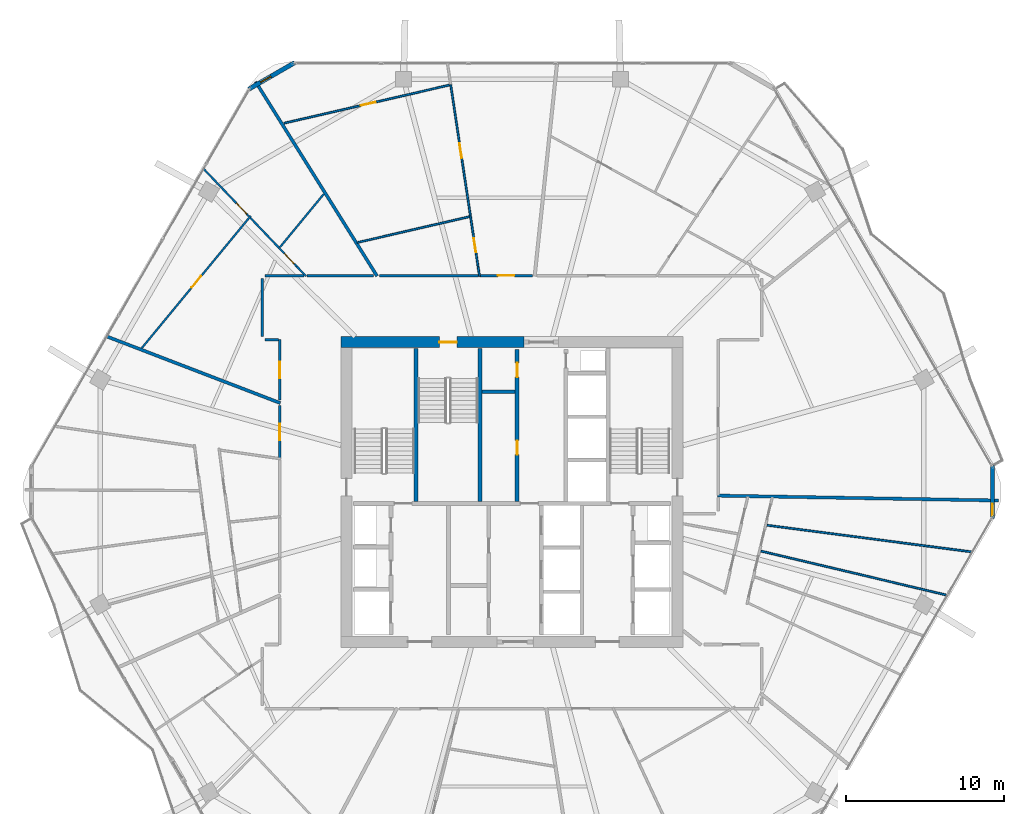
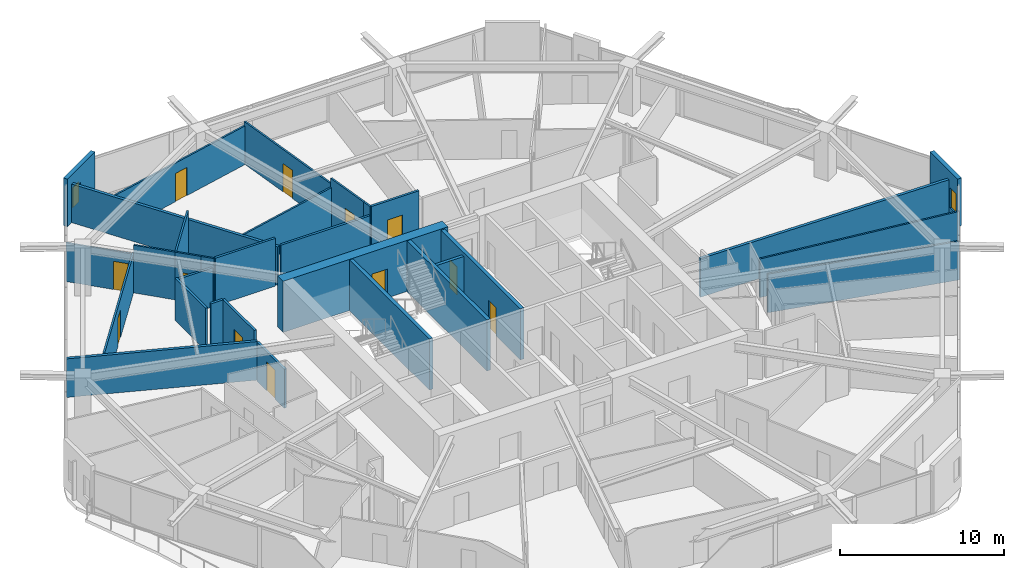
# One storey, part 20 of 25: 31 walls, 12 doors, 2 windows, 14 openings.
"""IFC4 building model written with IfcOpenShell, lengths in metres."""

from ifc_helpers import new_model, si_unit, direction, frame, frame_2d, origin, place, context, subcontext, project, spatial, rectangle, extrude, material, layer, layer_set, type_object, element, fill, save


model = new_model("IFC4")

# Units and contexts
model_context = context("Model", 3, precision=1e-05, world=origin(), true_north=direction((0.0, 1.0)))
body_context = subcontext(model_context, "Body", "Model", "MODEL_VIEW")
ifc_project = project(units=[si_unit("LENGTHUNIT", "METRE"), si_unit("AREAUNIT", "SQUARE_METRE"), si_unit("VOLUMEUNIT", "CUBIC_METRE"), si_unit("PLANEANGLEUNIT", "RADIAN"), si_unit("MASSUNIT", "GRAM", prefix="KILO")], contexts=[model_context])

# Site, building, storey
site_placement = place(None, origin())
site = spatial("IfcSite", under=ifc_project, at=site_placement, CompositionType="ELEMENT")
building_placement = place(site_placement, origin())
building = spatial("IfcBuilding", under=site, at=building_placement, Name="Zuhravey Tower", CompositionType="ELEMENT")
storey_placement = place(building_placement, frame((0.0, 0.0, 180.800048828125)))
storey = spatial("IfcBuildingStorey", under=building, at=storey_placement, Name="L45", CompositionType="ELEMENT", Elevation=180.800048828125)

# Wall, opening, door
ifc_material_1 = material(Name="Concrete C60/75", Category="concrete")
ifc_layer_1 = layer(ifc_material_1, 0.699951171875)
ifc_layer_set_1 = layer_set([ifc_layer_1], Name="Concrete C60/75")
wall_type_1 = type_object("IfcWallType", Name="Core Shear Wall 700", PredefinedType="SHEAR", material=ifc_layer_set_1)
wall_1_placement = place(storey_placement, frame((36.75, 41.5, 0.0), z_axis=(0.0, 0.0, 1.0), x_axis=(-1.0, 0.0, 0.0)))
wall_1 = element("IfcWall", 1, at=wall_1_placement, inside=storey, type_object=wall_type_1, Name="L45 North-West Core Shear Wall CW70", PredefinedType="SHEAR", context=body_context, shape_type="SweptSolid", body=[
    extrude(rectangle(XDim=11.60009765625, YDim=0.699951171875, at=frame_2d((5.800048828125, 0.0))), origin(), (0.0, 0.0, 1.0), 3.800048828125),
])
opening_1_placement = place(wall_1_placement, frame((4.25, 0.0, 0.0)))
opening_1 = element("IfcOpeningElement", 2, at=opening_1_placement, cuts=wall_1, Name="Opening STD1", PredefinedType="OPENING", context=body_context, shape_type="SweptSolid", body=[
    extrude(rectangle(XDim=1.10009765625, YDim=2.14990234375, at=frame_2d((0.550048828125, 1.074951171875))), frame((0.0, 0.362060546875, 0.0), z_axis=(0.0, -1.0, 0.0), x_axis=(1.0, 0.0, 0.0)), (0.0, 0.0, 1.0), 0.723876953125),
])
ifc_material_2 = material(Name="Galvanised fire-rated steel leaf", Category="steel")
door_type_1 = type_object("IfcDoorType", Name="Protected Stair Fire Door 1100x2150", OperationType="NOTDEFINED", PredefinedType="USERDEFINED", material=ifc_material_2)
door_1_placement = place(opening_1_placement, origin())
door_1 = element("IfcDoor", 3, at=door_1_placement, inside=storey, type_object=door_type_1, Name="L45 Stair ST3 Door", ObjectType="EXITDOOR", OperationType="SINGLE_SWING_RIGHT", OverallHeight=2.14990234375, OverallWidth=1.10009765625, PredefinedType="USERDEFINED", context=body_context, shape_type="SweptSolid", body=[
    extrude(rectangle(XDim=1.10009765625, YDim=2.14990234375, at=frame_2d((0.550048828125, 1.074951171875))), frame((0.0, 0.02490234375, 0.0), z_axis=(0.0, -1.0, 0.0), x_axis=(1.0, 0.0, 0.0)), (0.0, 0.0, 1.0), 0.050048828125),
])
fill(opening_1, door_1)

ifc_material_3 = material(Name="Gypsum fire-rated stud partition")
ifc_layer_2 = layer(ifc_material_3, 0.159912109375)
ifc_layer_set_2 = layer_set([ifc_layer_2], Name="Gypsum fire-rated stud partition")
wall_type_2 = type_object("IfcWallType", Name="Corridor Fire Partition 160", PredefinedType="PARTITIONING", material=ifc_layer_set_2)
wall_2_placement = place(storey_placement, frame((37.302001953125, 45.72998046875, 0.0), z_axis=(0.0, 0.0, 1.0), x_axis=(-1.0, 0.0, 0.0)))
wall_2 = element("IfcWall", 4, at=wall_2_placement, inside=storey, type_object=wall_type_2, Name="L45 IW16 Partition 029", PredefinedType="PARTITIONING", context=body_context, shape_type="SweptSolid", body=[
    extrude(rectangle(XDim=3.348388671875, YDim=0.159912109375, at=frame_2d((1.67431640625, 0.0))), origin(), (0.0, 0.0, 1.0), 3.550048828125),
])
opening_2_placement = place(wall_2_placement, frame((1.149169921875, 0.0, 0.0)))
opening_2 = element("IfcOpeningElement", 5, at=opening_2_placement, cuts=wall_2, Name="Opening APD1", PredefinedType="OPENING", context=body_context, shape_type="SweptSolid", body=[
    extrude(rectangle(XDim=1.050048828125, YDim=2.14990234375, at=frame_2d((0.52490234375, 1.074951171875))), frame((0.0, 0.092041015625, 0.0), z_axis=(0.0, -1.0, 0.0), x_axis=(1.0, 0.0, 0.0)), (0.0, 0.0, 1.0), 0.183837890625),
])
ifc_material_4 = material(Name="Solid-core oak fire-rated leaf")
door_type_2 = type_object("IfcDoorType", Name="Apartment Entrance Fire Door 1050x2150", OperationType="NOTDEFINED", PredefinedType="DOOR", material=ifc_material_4)
door_2_placement = place(opening_2_placement, frame((1.050048828125, 0.0, 0.0), z_axis=(0.0, 0.0, 1.0), x_axis=(-1.0, 0.0, 0.0)))
door_2 = element("IfcDoor", 6, at=door_2_placement, inside=storey, type_object=door_type_2, Name="L45 Door 029.1", OperationType="SINGLE_SWING_LEFT", OverallHeight=2.14990234375, OverallWidth=1.050048828125, PredefinedType="DOOR", context=body_context, shape_type="SweptSolid", body=[
    extrude(rectangle(XDim=1.050048828125, YDim=2.14990234375, at=frame_2d((0.52490234375, 1.074951171875))), frame((0.0, 0.02490234375, 0.0), z_axis=(0.0, -1.0, 0.0), x_axis=(1.0, 0.0, 0.0)), (0.0, 0.0, 1.0), 0.050048828125),
])
fill(opening_2, door_2)

wall_3_placement = place(storey_placement, frame((21.27001953125, 41.669921875, 0.0), z_axis=(0.0, 0.0, 1.0), x_axis=(0.0, -1.0, 0.0)))
wall_3 = element("IfcWall", 7, at=wall_3_placement, inside=storey, type_object=wall_type_2, Name="L45 IW16 Partition 034", PredefinedType="PARTITIONING", context=body_context, shape_type="SweptSolid", body=[
    extrude(rectangle(XDim=3.84619140625, YDim=0.159912109375, at=frame_2d((1.923095703125, 0.0))), origin(), (0.0, 0.0, 1.0), 3.550048828125),
])
opening_3_placement = place(wall_3_placement, frame((1.398193359375, 0.0, 0.0)))
opening_3 = element("IfcOpeningElement", 8, at=opening_3_placement, cuts=wall_3, Name="Opening APD1", PredefinedType="OPENING", context=body_context, shape_type="SweptSolid", body=[
    extrude(rectangle(XDim=1.050048828125, YDim=2.14990234375, at=frame_2d((0.52490234375, 1.074951171875))), frame((0.0, 0.092041015625, 0.0), z_axis=(0.0, -1.0, 0.0), x_axis=(1.0, 0.0, 0.0)), (0.0, 0.0, 1.0), 0.183837890625),
])
door_3_placement = place(opening_3_placement, frame((1.050048828125, 0.0, 0.0), z_axis=(0.0, 0.0, 1.0), x_axis=(-1.0, 0.0, 0.0)))
door_3 = element("IfcDoor", 9, at=door_3_placement, inside=storey, type_object=door_type_2, Name="L45 Door 034.1", OperationType="SINGLE_SWING_LEFT", OverallHeight=2.14990234375, OverallWidth=1.050048828125, PredefinedType="DOOR", context=body_context, shape_type="SweptSolid", body=[
    extrude(rectangle(XDim=1.050048828125, YDim=2.14990234375, at=frame_2d((0.52490234375, 1.074951171875))), frame((0.0, 0.02490234375, 0.0), z_axis=(0.0, -1.0, 0.0), x_axis=(1.0, 0.0, 0.0)), (0.0, 0.0, 1.0), 0.050048828125),
])
fill(opening_3, door_3)

wall_4_placement = place(storey_placement, frame((21.27001953125, 37.486083984375, 0.0), z_axis=(0.0, 0.0, 1.0), x_axis=(0.0, -1.0, 0.0)))
wall_4 = element("IfcWall", 10, at=wall_4_placement, inside=storey, type_object=wall_type_2, Name="L45 IW16 Partition 037", PredefinedType="PARTITIONING", context=body_context, shape_type="SweptSolid", body=[
    extrude(rectangle(XDim=3.348388671875, YDim=0.159912109375, at=frame_2d((1.67431640625, 0.0))), origin(), (0.0, 0.0, 1.0), 2.89990234375),
])
opening_4_placement = place(wall_4_placement, frame((1.149169921875, 0.0, 0.0)))
opening_4 = element("IfcOpeningElement", 11, at=opening_4_placement, cuts=wall_4, Name="Opening APD1", PredefinedType="OPENING", context=body_context, shape_type="SweptSolid", body=[
    extrude(rectangle(XDim=1.050048828125, YDim=2.14990234375, at=frame_2d((0.52490234375, 1.074951171875))), frame((0.0, 0.092041015625, 0.0), z_axis=(0.0, -1.0, 0.0), x_axis=(1.0, 0.0, 0.0)), (0.0, 0.0, 1.0), 0.183837890625),
])
door_4_placement = place(opening_4_placement, frame((1.050048828125, 0.0, 0.0), z_axis=(0.0, 0.0, 1.0), x_axis=(-1.0, 0.0, 0.0)))
door_4 = element("IfcDoor", 12, at=door_4_placement, inside=storey, type_object=door_type_2, Name="L45 Door 037.1", OperationType="SINGLE_SWING_LEFT", OverallHeight=2.14990234375, OverallWidth=1.050048828125, PredefinedType="DOOR", context=body_context, shape_type="SweptSolid", body=[
    extrude(rectangle(XDim=1.050048828125, YDim=2.14990234375, at=frame_2d((0.52490234375, 1.074951171875))), frame((0.0, 0.02490234375, 0.0), z_axis=(0.0, -1.0, 0.0), x_axis=(1.0, 0.0, 0.0)), (0.0, 0.0, 1.0), 0.050048828125),
])
fill(opening_4, door_4)

# Walls
wall_5_placement = place(storey_placement, frame((33.864501953125, 45.72998046875, 0.0), z_axis=(0.0, 0.0, 1.0), x_axis=(-1.0, 0.0, 0.0)))
element("IfcWall", 13, at=wall_5_placement, inside=storey, type_object=wall_type_2, Name="L45 IW16 Partition 106", PredefinedType="PARTITIONING", context=body_context, shape_type="SweptSolid", body=[
    extrude(rectangle(XDim=6.2548828125, YDim=0.159912109375, at=frame_2d((3.12744140625, 0.0))), origin(), (0.0, 0.0, 1.0), 2.89990234375),
])
wall_6_placement = place(storey_placement, frame((20.169921875, 45.550048828125, 0.0), z_axis=(0.0, 0.0, 1.0), x_axis=(0.0, -1.0, 0.0)))
element("IfcWall", 14, at=wall_6_placement, inside=storey, type_object=wall_type_2, Name="L45 IW16 Partition 107", PredefinedType="PARTITIONING", context=body_context, shape_type="SweptSolid", body=[
    extrude(rectangle(XDim=3.699951171875, YDim=0.159912109375, at=frame_2d((1.85009765625, 0.0))), origin(), (0.0, 0.0, 1.0), 3.14990234375),
])
wall_7_placement = place(storey_placement, frame((22.8037109375, 45.72998046875, 0.0), z_axis=(0.0, 0.0, 1.0), x_axis=(-1.0, 0.0, 0.0)))
element("IfcWall", 15, at=wall_7_placement, inside=storey, type_object=wall_type_2, Name="L45 IW16 Partition 108", PredefinedType="PARTITIONING", context=body_context, shape_type="SweptSolid", body=[
    extrude(rectangle(XDim=2.45361328125, YDim=0.159912109375, at=frame_2d((1.226806640625, 0.0))), origin(), (0.0, 0.0, 1.0), 2.89990234375),
])
wall_8_placement = place(storey_placement, frame((20.35009765625, 41.669921875, 0.0), z_axis=(0.0, 0.0, 1.0), x_axis=(1.0, 0.0, 0.0)))
element("IfcWall", 16, at=wall_8_placement, inside=storey, type_object=wall_type_2, Name="L45 IW16 Partition 109", PredefinedType="PARTITIONING", context=body_context, shape_type="SweptSolid", body=[
    extrude(rectangle(XDim=0.831787109375, YDim=0.159912109375, at=frame_2d((0.416015625, 0.0))), origin(), (0.0, 0.0, 1.0), 3.550048828125),
])
wall_9_placement = place(storey_placement, frame((27.229248046875, 45.72998046875, 0.0), z_axis=(0.0, 0.0, 1.0), x_axis=(-1.0, 0.0, 0.0)))
element("IfcWall", 17, at=wall_9_placement, inside=storey, type_object=wall_type_2, Name="L45 IW16 Partition 110", PredefinedType="PARTITIONING", context=body_context, shape_type="SweptSolid", body=[
    extrude(rectangle(XDim=4.241455078125, YDim=0.159912109375, at=frame_2d((2.12060546875, 0.0))), origin(), (0.0, 0.0, 1.0), 3.550048828125),
])

# Wall, opening, window
ifc_material_5 = material(Name="Precast concrete C40/50", Category="concrete")
ifc_layer_3 = layer(ifc_material_5, 0.280029296875)
ifc_layer_set_3 = layer_set([ifc_layer_3], Name="Precast concrete C40/50")
wall_type_3 = type_object("IfcWallType", Name="Crown Architectural Wall 280", PredefinedType="SOLIDWALL", material=ifc_layer_set_3)
wall_10_placement = place(storey_placement, frame((19.306884765625, 57.548095703125, 0.0), z_axis=(0.0, 0.0, 1.0), x_axis=(0.866020068361, 0.500009241111, 0.0)))
wall_10 = element("IfcWall", 18, at=wall_10_placement, inside=storey, type_object=wall_type_3, Name="L45 Rounded Corner Closure Wall EW28-08", PredefinedType="SOLIDWALL", context=body_context, shape_type="SweptSolid", body=[
    extrude(rectangle(XDim=3.365234375, YDim=0.280029296875, at=frame_2d((1.6826171875, 0.0))), origin(), (0.0, 0.0, 1.0), 3.550048828125),
])
opening_5_placement = place(wall_10_placement, frame((0.865966796875, 0.0, 0.85009765625)))
opening_5 = element("IfcOpeningElement", 19, at=opening_5_placement, cuts=wall_10, Name="Opening WN5", PredefinedType="OPENING", context=body_context, shape_type="SweptSolid", body=[
    extrude(rectangle(XDim=0.75, YDim=1.5, at=frame_2d((0.375, 0.75))), frame((0.0, 0.152099609375, 0.0), z_axis=(0.0, -1.0, 0.0), x_axis=(1.0, 0.0, 0.0)), (0.0, 0.0, 1.0), 0.303955078125),
])
ifc_material_6 = material(Name="Thermally broken aluminium and triple low-E glass", Category="aluminium")
window_type = type_object("IfcWindowType", Name="Residential Corner Casement Window 750x1500", PartitioningType="SINGLE_PANEL", PredefinedType="WINDOW", material=ifc_material_6)
window_1_placement = place(opening_5_placement, origin())
window_1 = element("IfcWindow", 20, at=window_1_placement, inside=storey, type_object=window_type, Name="L45 Corner Casement Window WN5-08.1", OverallHeight=1.5, OverallWidth=0.75, PartitioningType="SINGLE_PANEL", PredefinedType="WINDOW", context=body_context, shape_type="SweptSolid", body=[
    extrude(rectangle(XDim=0.75, YDim=1.5, at=frame_2d((0.375, 0.75))), frame((0.0, 0.030029296875, 0.0), z_axis=(0.0, -1.0, 0.0), x_axis=(1.0, 0.0, 0.0)), (0.0, 0.0, 1.0), 0.06005859375),
])
fill(opening_5, window_1)

wall_11_placement = place(storey_placement, frame((66.4716796875, 33.6826171875, 0.0), z_axis=(0.0, 0.0, 1.0), x_axis=(0.0, -1.0, 0.0)))
wall_11 = element("IfcWall", 21, at=wall_11_placement, inside=storey, type_object=wall_type_3, Name="L45 Rounded Corner Closure Wall EW28-12", PredefinedType="SOLIDWALL", context=body_context, shape_type="SweptSolid", body=[
    extrude(rectangle(XDim=3.365234375, YDim=0.280029296875, at=frame_2d((1.6826171875, 0.0))), origin(), (0.0, 0.0, 1.0), 3.550048828125),
])
opening_6_placement = place(wall_11_placement, frame((2.435791015625, 0.0, 0.85009765625)))
opening_6 = element("IfcOpeningElement", 22, at=opening_6_placement, cuts=wall_11, Name="Opening WN5", PredefinedType="OPENING", context=body_context, shape_type="SweptSolid", body=[
    extrude(rectangle(XDim=0.75, YDim=1.5, at=frame_2d((0.375, 0.75))), frame((0.0, 0.152099609375, 0.0), z_axis=(0.0, -1.0, 0.0), x_axis=(1.0, 0.0, 0.0)), (0.0, 0.0, 1.0), 0.303955078125),
])
window_2_placement = place(opening_6_placement, origin())
window_2 = element("IfcWindow", 23, at=window_2_placement, inside=storey, type_object=window_type, Name="L45 Corner Casement Window WN5-12.1", OverallHeight=1.5, OverallWidth=0.75, PartitioningType="SINGLE_PANEL", PredefinedType="WINDOW", context=body_context, shape_type="SweptSolid", body=[
    extrude(rectangle(XDim=0.75, YDim=1.5, at=frame_2d((0.375, 0.75))), frame((0.0, 0.030029296875, 0.0), z_axis=(0.0, -1.0, 0.0), x_axis=(1.0, 0.0, 0.0)), (0.0, 0.0, 1.0), 0.06005859375),
])
fill(opening_6, window_2)

# Walls
ifc_material_7 = material(Name="Concrete C50/60", Category="concrete")
ifc_layer_4 = layer(ifc_material_7, 0.25)
ifc_layer_set_4 = layer_set([ifc_layer_4], Name="Concrete C50/60")
wall_type_4 = type_object("IfcWallType", Name="Firefighting Shaft & Stair Wall 250", PredefinedType="SOLIDWALL", material=ifc_layer_set_4)
for number, where, z_axis, x_axis, name in (
    (24, (29.925048828125, 31.39990234375, 0.0), (0.0, 0.0, 1.0), (0.0, 1.0, 0.0), "L45 FW25 Shaft Wall 004"),
    (25, (33.97509765625, 31.39990234375, 0.0), (0.0, 0.0, 1.0), (0.0, 1.0, 0.0), "L45 FW25 Shaft Wall 005"),
):
    element("IfcWall", number, at=place(storey_placement, frame(where, z_axis=z_axis, x_axis=x_axis)), inside=storey, type_object=wall_type_4, Name=name, PredefinedType="SOLIDWALL", context=body_context, shape_type="SweptSolid", body=[
        extrude(rectangle(XDim=9.7001953125, YDim=0.25, at=frame_2d((4.85009765625, 0.0))), origin(), (0.0, 0.0, 1.0), 3.800048828125),
    ])

# Wall, openings, doors
wall_12_placement = place(storey_placement, frame((36.324951171875, 31.39990234375, 0.0), z_axis=(0.0, 0.0, 1.0), x_axis=(0.0, 1.0, 0.0)))
wall_12 = element("IfcWall", 26, at=wall_12_placement, inside=storey, type_object=wall_type_4, Name="L45 FW25 Shaft Wall 007", PredefinedType="SOLIDWALL", context=body_context, shape_type="SweptSolid", body=[
    extrude(rectangle(XDim=9.650146484375, YDim=0.25, at=frame_2d((4.8251953125, 0.0))), origin(), (0.0, 0.0, 1.0), 3.800048828125),
])
opening_7_placement = place(wall_12_placement, frame((2.965087890625, 0.0, 0.0)))
opening_7 = element("IfcOpeningElement", 27, at=opening_7_placement, cuts=wall_12, Name="Opening RSD1", PredefinedType="OPENING", context=body_context, shape_type="SweptSolid", body=[
    extrude(rectangle(XDim=0.89990234375, YDim=2.10009765625, at=frame_2d((0.449951171875, 1.050048828125))), frame((0.0, 0.136962890625, 0.0), z_axis=(0.0, -1.0, 0.0), x_axis=(1.0, 0.0, 0.0)), (0.0, 0.0, 1.0), 0.27392578125),
])
opening_8_placement = place(wall_12_placement, frame((7.885009765625, 0.0, 0.0)))
opening_8 = element("IfcOpeningElement", 28, at=opening_8_placement, cuts=wall_12, Name="Opening RSD1", PredefinedType="OPENING", context=body_context, shape_type="SweptSolid", body=[
    extrude(rectangle(XDim=0.89990234375, YDim=2.10009765625, at=frame_2d((0.449951171875, 1.050048828125))), frame((0.0, 0.136962890625, 0.0), z_axis=(0.0, -1.0, 0.0), x_axis=(1.0, 0.0, 0.0)), (0.0, 0.0, 1.0), 0.27392578125),
])
ifc_material_8 = material(Name="Galvanised fire-rated steel access leaf", Category="steel")
door_type_3 = type_object("IfcDoorType", Name="Riser & Shaft Access Fire Door 900x2100", OperationType="NOTDEFINED", PredefinedType="DOOR", material=ifc_material_8)
door_5_placement = place(opening_7_placement, origin())
door_5 = element("IfcDoor", 29, at=door_5_placement, inside=storey, type_object=door_type_3, Name="L45 Equipment and Refuse Store Door", OperationType="SINGLE_SWING_RIGHT", OverallHeight=2.10009765625, OverallWidth=0.89990234375, PredefinedType="DOOR", context=body_context, shape_type="SweptSolid", body=[
    extrude(rectangle(XDim=0.89990234375, YDim=2.10009765625, at=frame_2d((0.449951171875, 1.050048828125))), frame((0.0, 0.02490234375, 0.0), z_axis=(0.0, -1.0, 0.0), x_axis=(1.0, 0.0, 0.0)), (0.0, 0.0, 1.0), 0.050048828125),
])
fill(opening_7, door_5)
door_6_placement = place(opening_8_placement, origin())
door_6 = element("IfcDoor", 30, at=door_6_placement, inside=storey, type_object=door_type_3, Name="L45 BMS Control Room Door", OperationType="SINGLE_SWING_LEFT", OverallHeight=2.10009765625, OverallWidth=0.89990234375, PredefinedType="DOOR", context=body_context, shape_type="SweptSolid", body=[
    extrude(rectangle(XDim=0.89990234375, YDim=2.10009765625, at=frame_2d((0.449951171875, 1.050048828125))), frame((0.0, 0.02490234375, 0.0), z_axis=(0.0, -1.0, 0.0), x_axis=(1.0, 0.0, 0.0)), (0.0, 0.0, 1.0), 0.050048828125),
])
fill(opening_8, door_6)

# Walls
ifc_material_9 = material(Name="Gypsum double-stud party assembly")
ifc_layer_5 = layer(ifc_material_9, 0.199951171875)
ifc_layer_set_5 = layer_set([ifc_layer_5], Name="Gypsum double-stud party assembly")
wall_type_5 = type_object("IfcWallType", Name="Inter-Tenancy Party Wall 200", PredefinedType="PARTITIONING", material=ifc_layer_set_5)
wall_13_placement = place(storey_placement, frame((27.445556640625, 45.68994140625, 0.0), z_axis=(0.0, 0.0, 1.0), x_axis=(-0.529915927037, 0.848050181459, 0.0)))
element("IfcWall", 31, at=wall_13_placement, inside=storey, type_object=wall_type_5, Name="L45 IW20 Partition 070", PredefinedType="PARTITIONING", context=body_context, shape_type="SweptSolid", body=[
    extrude(rectangle(XDim=14.540283203125, YDim=0.199951171875, at=frame_2d((7.27001953125, 0.0))), origin(), (0.0, 0.0, 1.0), 2.869873046875),
])
wall_14_placement = place(storey_placement, frame((21.31005859375, 37.638916015625, 0.0), z_axis=(0.0, 0.0, 1.0), x_axis=(-0.93357709865, 0.358376618762, 0.0)))
element("IfcWall", 32, at=wall_14_placement, inside=storey, type_object=wall_type_5, Name="L45 IW20 Partition 073", PredefinedType="PARTITIONING", context=body_context, shape_type="SweptSolid", body=[
    extrude(rectangle(XDim=11.786865234375, YDim=0.199951171875, at=frame_2d((5.8935546875, 0.0))), origin(), (0.0, 0.0, 1.0), 2.869873046875),
])
wall_15_placement = place(storey_placement, frame((49.0400390625, 31.7724609375, 0.0), z_axis=(0.0, 0.0, 1.0), x_axis=(0.999847668402, -0.017453939101, 0.0)))
element("IfcWall", 33, at=wall_15_placement, inside=storey, type_object=wall_type_5, Name="L45 IW20 Partition 103", PredefinedType="PARTITIONING", context=body_context, shape_type="SweptSolid", body=[
    extrude(rectangle(XDim=17.8203125, YDim=0.199951171875, at=frame_2d((8.91015625, 0.0))), origin(), (0.0, 0.0, 1.0), 2.869873046875),
])
ifc_material_10 = material(Name="Gypsum acoustic stud assembly")
ifc_layer_6 = layer(ifc_material_10, 0.219970703125)
ifc_layer_set_6 = layer_set([ifc_layer_6], Name="Gypsum acoustic stud assembly")
wall_type_6 = type_object("IfcWallType", Name="School Acoustic Compartment Wall 220", PredefinedType="PARTITIONING", material=ifc_layer_set_6)
wall_16_placement = place(storey_placement, frame((34.10791015625, 38.35009765625, 0.0), z_axis=(0.0, 0.0, 1.0), x_axis=(1.0, 0.0, 0.0)))
element("IfcWall", 34, at=wall_16_placement, inside=storey, type_object=wall_type_6, Name="L45 IW22 Partition 055", PredefinedType="PARTITIONING", context=body_context, shape_type="SweptSolid", body=[
    extrude(rectangle(XDim=2.083984375, YDim=0.219970703125, at=frame_2d((1.0419921875, 0.0))), origin(), (0.0, 0.0, 1.0), 3.550048828125),
])

# Wall, opening, door
ifc_material_11 = material(Name="Gypsum metal-stud partition")
ifc_layer_7 = layer(ifc_material_11, 0.1201171875)
ifc_layer_set_7 = layer_set([ifc_layer_7], Name="Gypsum metal-stud partition")
wall_type_7 = type_object("IfcWallType", Name="Unit Internal Partition 120", PredefinedType="PARTITIONING", material=ifc_layer_set_7)
wall_17_placement = place(storey_placement, frame((33.84765625, 46.300048828125, 0.0), z_axis=(0.0, 0.0, 1.0), x_axis=(-0.148934116093, 0.988847121179, 0.0)))
wall_17 = element("IfcWall", 35, at=wall_17_placement, inside=storey, type_object=wall_type_7, Name="L45 IW12 Partition 026", PredefinedType="PARTITIONING", context=body_context, shape_type="SweptSolid", body=[
    extrude(rectangle(XDim=3.237548828125, YDim=0.1201171875, at=frame_2d((1.61865234375, 0.0))), origin(), (0.0, 0.0, 1.0), 3.550048828125),
])
opening_9_placement = place(wall_17_placement, frame((0.909912109375, 0.0, 0.0)))
opening_9 = element("IfcOpeningElement", 36, at=opening_9_placement, cuts=wall_17, Name="Opening WCD1", PredefinedType="OPENING", context=body_context, shape_type="SweptSolid", body=[
    extrude(rectangle(XDim=0.89990234375, YDim=2.10009765625, at=frame_2d((0.449951171875, 1.050048828125))), frame((0.0, 0.072021484375, 0.0), z_axis=(0.0, -1.0, 0.0), x_axis=(1.0, 0.0, 0.0)), (0.0, 0.0, 1.0), 0.14404296875),
])
ifc_material_12 = material(Name="Moisture-resistant timber leaf", Category="wood")
door_type_4 = type_object("IfcDoorType", Name="Bathroom & WC Internal Door 900x2100", OperationType="NOTDEFINED", PredefinedType="DOOR", material=ifc_material_12)
door_7_placement = place(opening_9_placement, origin())
door_7 = element("IfcDoor", 37, at=door_7_placement, inside=storey, type_object=door_type_4, Name="Apartment L45-02 Bathroom Door", OperationType="SINGLE_SWING_RIGHT", OverallHeight=2.10009765625, OverallWidth=0.89990234375, PredefinedType="DOOR", context=body_context, shape_type="SweptSolid", body=[
    extrude(rectangle(XDim=0.89990234375, YDim=2.10009765625, at=frame_2d((0.449951171875, 1.050048828125))), frame((0.0, 0.02490234375, 0.0), z_axis=(0.0, -1.0, 0.0), x_axis=(1.0, 0.0, 0.0)), (0.0, 0.0, 1.0), 0.050048828125),
])
fill(opening_9, door_7)

wall_18_placement = place(storey_placement, frame((33.365478515625, 49.50146484375, 0.0), z_axis=(0.0, 0.0, 1.0), x_axis=(-0.148816904755, 0.988864767731, 0.0)))
wall_18 = element("IfcWall", 38, at=wall_18_placement, inside=storey, type_object=wall_type_7, Name="L45 IW12 Partition 027", PredefinedType="PARTITIONING", context=body_context, shape_type="SweptSolid", body=[
    extrude(rectangle(XDim=8.44384765625, YDim=0.1201171875, at=frame_2d((4.221923828125, 0.0))), origin(), (0.0, 0.0, 1.0), 3.14990234375),
])
opening_10_placement = place(wall_18_placement, frame((3.721923828125, 0.0, 0.0)))
opening_10 = element("IfcOpeningElement", 39, at=opening_10_placement, cuts=wall_18, Name="Opening IND1", PredefinedType="OPENING", context=body_context, shape_type="SweptSolid", body=[
    extrude(rectangle(XDim=0.949951171875, YDim=2.10009765625, at=frame_2d((0.47509765625, 1.050048828125))), frame((0.0, 0.072021484375, 0.0), z_axis=(0.0, -1.0, 0.0), x_axis=(1.0, 0.0, 0.0)), (0.0, 0.0, 1.0), 0.14404296875),
])
ifc_material_13 = material(Name="Painted engineered timber leaf", Category="wood")
door_type_5 = type_object("IfcDoorType", Name="Internal Room & Bedroom Door 950x2100", OperationType="NOTDEFINED", PredefinedType="DOOR", material=ifc_material_13)
door_8_placement = place(opening_10_placement, origin())
door_8 = element("IfcDoor", 40, at=door_8_placement, inside=storey, type_object=door_type_5, Name="Apartment L45-02 Home Office Door", OperationType="SINGLE_SWING_LEFT", OverallHeight=2.10009765625, OverallWidth=0.949951171875, PredefinedType="DOOR", context=body_context, shape_type="SweptSolid", body=[
    extrude(rectangle(XDim=0.949951171875, YDim=2.10009765625, at=frame_2d((0.47509765625, 1.050048828125))), frame((0.0, 0.02490234375, 0.0), z_axis=(0.0, -1.0, 0.0), x_axis=(1.0, 0.0, 0.0)), (0.0, 0.0, 1.0), 0.050048828125),
])
fill(opening_10, door_8)

wall_19_placement = place(storey_placement, frame((32.046142578125, 57.811279296875, 0.0), z_axis=(0.0, 0.0, 1.0), x_axis=(-0.974371328586, -0.22494558015, 0.0)))
wall_19 = element("IfcWall", 41, at=wall_19_placement, inside=storey, type_object=wall_type_7, Name="L45 IW12 Partition 028", PredefinedType="PARTITIONING", context=body_context, shape_type="SweptSolid", body=[
    extrude(rectangle(XDim=10.77197265625, YDim=0.1201171875, at=frame_2d((5.385986328125, 0.0))), origin(), (0.0, 0.0, 1.0), 2.869873046875),
])
opening_11_placement = place(wall_19_placement, frame((4.826416015625, 0.0, 0.0)))
opening_11 = element("IfcOpeningElement", 42, at=opening_11_placement, cuts=wall_19, Name="Opening IND1", PredefinedType="OPENING", context=body_context, shape_type="SweptSolid", body=[
    extrude(rectangle(XDim=0.949951171875, YDim=2.10009765625, at=frame_2d((0.47509765625, 1.050048828125))), frame((0.0, 0.072021484375, 0.0), z_axis=(0.0, -1.0, 0.0), x_axis=(1.0, 0.0, 0.0)), (0.0, 0.0, 1.0), 0.14404296875),
])
door_9_placement = place(opening_11_placement, frame((0.949951171875, 0.0, 0.0), z_axis=(0.0, 0.0, 1.0), x_axis=(-1.0, 0.0, 0.0)))
door_9 = element("IfcDoor", 43, at=door_9_placement, inside=storey, type_object=door_type_5, Name="Apartment L45-02 Bedroom 1 Door", OperationType="SINGLE_SWING_RIGHT", OverallHeight=2.10009765625, OverallWidth=0.949951171875, PredefinedType="DOOR", context=body_context, shape_type="SweptSolid", body=[
    extrude(rectangle(XDim=0.949951171875, YDim=2.10009765625, at=frame_2d((0.47509765625, 1.050048828125))), frame((0.0, 0.02490234375, 0.0), z_axis=(0.0, -1.0, 0.0), x_axis=(1.0, 0.0, 0.0)), (0.0, 0.0, 1.0), 0.050048828125),
])
fill(opening_11, door_9)

wall_20_placement = place(storey_placement, frame((19.4296875, 49.5087890625, 0.0), z_axis=(0.0, 0.0, 1.0), x_axis=(-0.636077930037, -0.771624822643, 0.0)))
wall_20 = element("IfcWall", 44, at=wall_20_placement, inside=storey, type_object=wall_type_7, Name="L45 IW12 Partition 030", PredefinedType="PARTITIONING", context=body_context, shape_type="SweptSolid", body=[
    extrude(rectangle(XDim=10.848388671875, YDim=0.1201171875, at=frame_2d((5.42431640625, 0.0))), origin(), (0.0, 0.0, 1.0), 2.89990234375),
])
opening_12_placement = place(wall_20_placement, frame((4.94921875, 0.0, 0.0)))
opening_12 = element("IfcOpeningElement", 45, at=opening_12_placement, cuts=wall_20, Name="Opening IND1", PredefinedType="OPENING", context=body_context, shape_type="SweptSolid", body=[
    extrude(rectangle(XDim=0.949951171875, YDim=2.10009765625, at=frame_2d((0.47509765625, 1.050048828125))), frame((0.0, 0.072021484375, 0.0), z_axis=(0.0, -1.0, 0.0), x_axis=(1.0, 0.0, 0.0)), (0.0, 0.0, 1.0), 0.14404296875),
])
door_10_placement = place(opening_12_placement, frame((0.949951171875, 0.0, 0.0), z_axis=(0.0, 0.0, 1.0), x_axis=(-1.0, 0.0, 0.0)))
door_10 = element("IfcDoor", 46, at=door_10_placement, inside=storey, type_object=door_type_5, Name="Apartment L45-03 Family Study Door", OperationType="SINGLE_SWING_RIGHT", OverallHeight=2.10009765625, OverallWidth=0.949951171875, PredefinedType="DOOR", context=body_context, shape_type="SweptSolid", body=[
    extrude(rectangle(XDim=0.949951171875, YDim=2.10009765625, at=frame_2d((0.47509765625, 1.050048828125))), frame((0.0, 0.02490234375, 0.0), z_axis=(0.0, -1.0, 0.0), x_axis=(1.0, 0.0, 0.0)), (0.0, 0.0, 1.0), 0.050048828125),
])
fill(opening_12, door_10)

wall_21_placement = place(storey_placement, frame((22.353759765625, 46.300048828125, 0.0), z_axis=(0.0, 0.0, 1.0), x_axis=(-0.690394331583, 0.723433249801, 0.0)))
wall_21 = element("IfcWall", 47, at=wall_21_placement, inside=storey, type_object=wall_type_7, Name="L45 IW12 Partition 031", PredefinedType="PARTITIONING", context=body_context, shape_type="SweptSolid", body=[
    extrude(rectangle(XDim=1.640380859375, YDim=0.1201171875, at=frame_2d((0.8203125, 0.0))), origin(), (0.0, 0.0, 1.0), 3.550048828125),
])
opening_13_placement = place(wall_21_placement, frame((0.239013671875, 0.0, 0.0)))
opening_13 = element("IfcOpeningElement", 48, at=opening_13_placement, cuts=wall_21, Name="Opening WCD1", PredefinedType="OPENING", context=body_context, shape_type="SweptSolid", body=[
    extrude(rectangle(XDim=0.89990234375, YDim=2.10009765625, at=frame_2d((0.449951171875, 1.050048828125))), frame((0.0, 0.072021484375, 0.0), z_axis=(0.0, -1.0, 0.0), x_axis=(1.0, 0.0, 0.0)), (0.0, 0.0, 1.0), 0.14404296875),
])
door_11_placement = place(opening_13_placement, frame((0.89990234375, 0.0, 0.0), z_axis=(0.0, 0.0, 1.0), x_axis=(-1.0, 0.0, 0.0)))
door_11 = element("IfcDoor", 49, at=door_11_placement, inside=storey, type_object=door_type_4, Name="Apartment L45-03 Bathroom Door", OperationType="SINGLE_SWING_LEFT", OverallHeight=2.10009765625, OverallWidth=0.89990234375, PredefinedType="DOOR", context=body_context, shape_type="SweptSolid", body=[
    extrude(rectangle(XDim=0.89990234375, YDim=2.10009765625, at=frame_2d((0.449951171875, 1.050048828125))), frame((0.0, 0.02490234375, 0.0), z_axis=(0.0, -1.0, 0.0), x_axis=(1.0, 0.0, 0.0)), (0.0, 0.0, 1.0), 0.050048828125),
])
fill(opening_13, door_11)

# Wall
wall_22_placement = place(storey_placement, frame((21.22119140625, 47.48681640625, 0.0), z_axis=(0.0, 0.0, 1.0), x_axis=(-0.690367102985, 0.723459233901, 0.0)))
element("IfcWall", 50, at=wall_22_placement, inside=storey, type_object=wall_type_7, Name="L45 IW12 Partition 032", PredefinedType="PARTITIONING", context=body_context, shape_type="SweptSolid", body=[
    extrude(rectangle(XDim=2.619140625, YDim=0.1201171875, at=frame_2d((1.3095703125, 0.0))), origin(), (0.0, 0.0, 1.0), 3.550048828125),
])

# Wall, opening, door
wall_23_placement = place(storey_placement, frame((19.318603515625, 49.480712890625, 0.0), z_axis=(0.0, 0.0, 1.0), x_axis=(-0.690401934282, 0.723425994238, 0.0)))
wall_23 = element("IfcWall", 51, at=wall_23_placement, inside=storey, type_object=wall_type_7, Name="L45 IW12 Partition 033", PredefinedType="PARTITIONING", context=body_context, shape_type="SweptSolid", body=[
    extrude(rectangle(XDim=4.16943359375, YDim=0.1201171875, at=frame_2d((2.084716796875, 0.0))), origin(), (0.0, 0.0, 1.0), 2.869873046875),
])
opening_14_placement = place(wall_23_placement, frame((0.206787109375, 0.0, 0.0)))
opening_14 = element("IfcOpeningElement", 52, at=opening_14_placement, cuts=wall_23, Name="Opening IND1", PredefinedType="OPENING", context=body_context, shape_type="SweptSolid", body=[
    extrude(rectangle(XDim=0.949951171875, YDim=2.10009765625, at=frame_2d((0.47509765625, 1.050048828125))), frame((0.0, 0.072021484375, 0.0), z_axis=(0.0, -1.0, 0.0), x_axis=(1.0, 0.0, 0.0)), (0.0, 0.0, 1.0), 0.14404296875),
])
door_12_placement = place(opening_14_placement, frame((0.949951171875, 0.0, 0.0), z_axis=(0.0, 0.0, 1.0), x_axis=(-1.0, 0.0, 0.0)))
door_12 = element("IfcDoor", 53, at=door_12_placement, inside=storey, type_object=door_type_5, Name="Apartment L45-03 Bedroom 1 Door", OperationType="SINGLE_SWING_RIGHT", OverallHeight=2.10009765625, OverallWidth=0.949951171875, PredefinedType="DOOR", context=body_context, shape_type="SweptSolid", body=[
    extrude(rectangle(XDim=0.949951171875, YDim=2.10009765625, at=frame_2d((0.47509765625, 1.050048828125))), frame((0.0, 0.02490234375, 0.0), z_axis=(0.0, -1.0, 0.0), x_axis=(1.0, 0.0, 0.0)), (0.0, 0.0, 1.0), 0.050048828125),
])
fill(opening_14, door_12)

# Walls
wall_24_placement = place(storey_placement, frame((33.940185546875, 45.685302734375, 0.0), z_axis=(0.0, 0.0, 1.0), x_axis=(-0.148839731884, 0.988861332146, 0.0)))
element("IfcWall", 54, at=wall_24_placement, inside=storey, type_object=wall_type_7, Name="L45 IW12 Partition 067", PredefinedType="PARTITIONING", context=body_context, shape_type="SweptSolid", body=[
    extrude(rectangle(XDim=0.62158203125, YDim=0.1201171875, at=frame_2d((0.310791015625, 0.0))), origin(), (0.0, 0.0, 1.0), 3.550048828125),
])
wall_25_placement = place(storey_placement, frame((33.302978515625, 49.46142578125, 0.0), z_axis=(0.0, 0.0, 1.0), x_axis=(-0.97437372251, -0.224935210409, 0.0)))
element("IfcWall", 55, at=wall_25_placement, inside=storey, type_object=wall_type_7, Name="L45 IW12 Partition 069", PredefinedType="PARTITIONING", context=body_context, shape_type="SweptSolid", body=[
    extrude(rectangle(XDim=7.30126953125, YDim=0.1201171875, at=frame_2d((3.650634765625, 0.0))), origin(), (0.0, 0.0, 1.0), 2.89990234375),
])
wall_26_placement = place(storey_placement, frame((22.940673828125, 45.68505859375, 0.0), z_axis=(0.0, 0.0, 1.0), x_axis=(-0.690400608296, 0.723427259691, 0.0)))
element("IfcWall", 56, at=wall_26_placement, inside=storey, type_object=wall_type_7, Name="L45 IW12 Partition 071", PredefinedType="PARTITIONING", context=body_context, shape_type="SweptSolid", body=[
    extrude(rectangle(XDim=0.85009765625, YDim=0.1201171875, at=frame_2d((0.425048828125, 0.0))), origin(), (0.0, 0.0, 1.0), 3.550048828125),
])
wall_27_placement = place(storey_placement, frame((24.064697265625, 50.896728515625, 0.0), z_axis=(0.0, 0.0, 1.0), x_axis=(-0.636096479455, -0.771609531321, 0.0)))
element("IfcWall", 57, at=wall_27_placement, inside=storey, type_object=wall_type_7, Name="L45 IW12 Partition 072", PredefinedType="PARTITIONING", context=body_context, shape_type="SweptSolid", body=[
    extrude(rectangle(XDim=4.374267578125, YDim=0.1201171875, at=frame_2d((2.18701171875, 0.0))), origin(), (0.0, 0.0, 1.0), 3.550048828125),
])
wall_28_placement = place(storey_placement, frame((51.771728515625, 28.260009765625, 0.0), z_axis=(0.0, 0.0, 1.0), x_axis=(0.973016228648, -0.230736687131, 0.0)))
element("IfcWall", 58, at=wall_28_placement, inside=storey, type_object=wall_type_7, Name="L45 IW12 Partition 099", PredefinedType="PARTITIONING", context=body_context, shape_type="SweptSolid", body=[
    extrude(rectangle(XDim=12.175537109375, YDim=0.1201171875, at=frame_2d((6.087890625, 0.0))), origin(), (0.0, 0.0, 1.0), 2.869873046875),
])
wall_29_placement = place(storey_placement, frame((52.159423828125, 29.8955078125, 0.0), z_axis=(0.0, 0.0, 1.0), x_axis=(0.991627193539, -0.129133686673, 0.0)))
element("IfcWall", 59, at=wall_29_placement, inside=storey, type_object=wall_type_7, Name="L45 IW12 Partition 100", PredefinedType="PARTITIONING", context=body_context, shape_type="SweptSolid", body=[
    extrude(rectangle(XDim=13.15478515625, YDim=0.1201171875, at=frame_2d((6.577392578125, 0.0))), origin(), (0.0, 0.0, 1.0), 2.869873046875),
])

save(model, "model.ifc")
